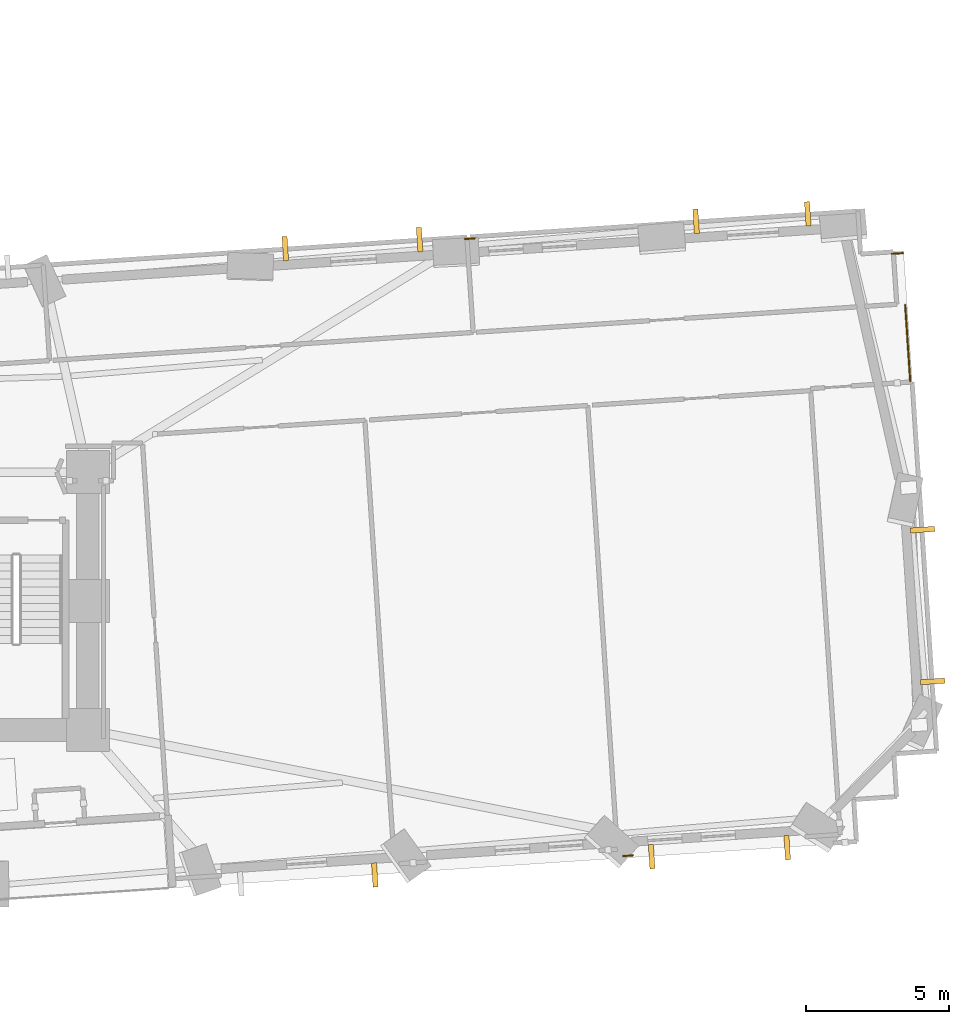
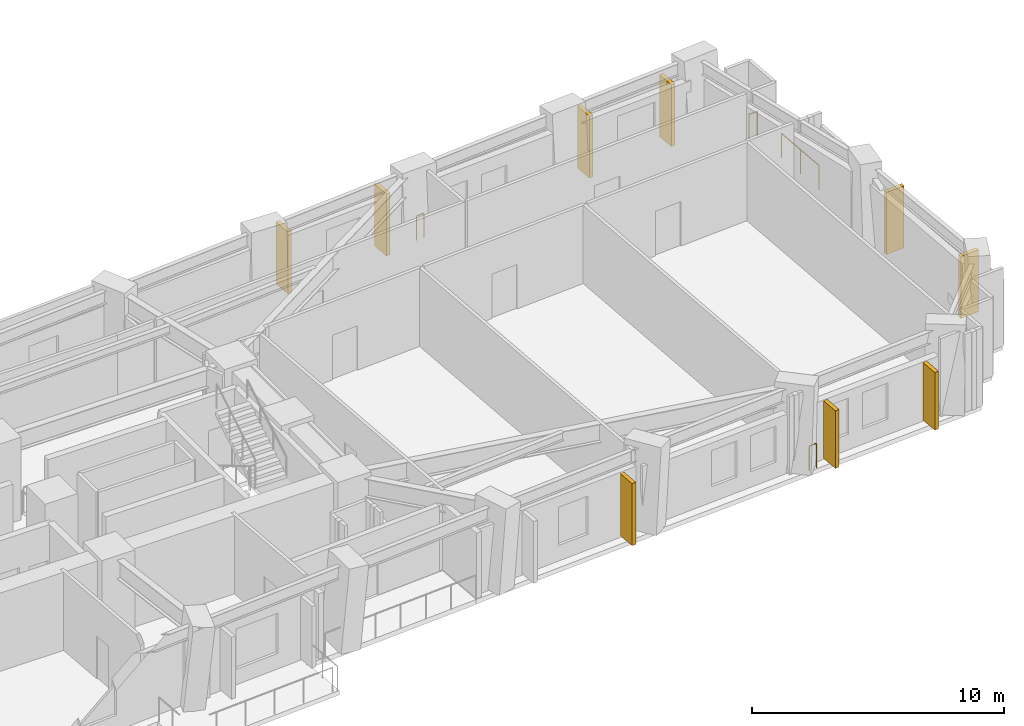
# One storey, part 13 of 14: 9 shading devices, 4 railings.
"""IFC4 building model written with IfcOpenShell, lengths in metres."""

from ifc_helpers import new_model, si_unit, direction, frame, origin, origin_2d, place, context, subcontext, project, spatial, rectangle, circle, extrude, material, layer, layer_set, type_object, element, save


model = new_model("IFC4")

# Units and contexts
model_context = context("Model", 3, precision=1e-05, world=origin(), true_north=direction((0.0, 1.0)))
body_context = subcontext(model_context, "Body", "Model", "MODEL_VIEW")
ifc_project = project(units=[si_unit("LENGTHUNIT", "METRE"), si_unit("AREAUNIT", "SQUARE_METRE"), si_unit("VOLUMEUNIT", "CUBIC_METRE"), si_unit("PLANEANGLEUNIT", "RADIAN"), si_unit("MASSUNIT", "GRAM", prefix="KILO")], contexts=[model_context])

# Site, building, storey
site_placement = place(None, origin())
site = spatial("IfcSite", under=ifc_project, at=site_placement, CompositionType="ELEMENT")
building_placement = place(site_placement, origin())
building = spatial("IfcBuilding", under=site, at=building_placement, Name="Gaonmaruhae Medical Tower", CompositionType="ELEMENT")
storey_placement = place(building_placement, frame((0.0, 0.0, 39.0)))
storey = spatial("IfcBuildingStorey", under=building, at=storey_placement, Name="L08", CompositionType="ELEMENT", Elevation=39.0)

# Railings
ifc_material_1 = material(Name="Stainless steel 316L and laminated safety glass", Category="steel")
ifc_layer = layer(ifc_material_1, 0.080078125)
ifc_layer_set = layer_set([ifc_layer], Name="Stainless steel 316L and laminated safety glass")
railing_type = type_object("IfcRailingType", Name="GD-120 Outdoor Terrace Safety Glass & Steel Balustrade", PredefinedType="BALUSTRADE", material=ifc_layer_set)
railing_1_placement = place(storey_placement, frame((48.772216796875, 24.935791015625, 0.0)))
element("IfcRailing", 1, at=railing_1_placement, inside=storey, type_object=railing_type, Name="L08 Perimeter Slab Edge Safety Balustrade 03", PredefinedType="BALUSTRADE", context=body_context, shape_type="SweptSolid", body=[
    extrude(circle(Radius=0.02392578125, at=origin_2d()), frame((0.0, 0.0, 1.17578125), z_axis=(0.997766046034, 0.066805070037, 0.0), x_axis=(-0.066805070037, 0.997766046034, 0.0)), (0.0, 0.0, 1.0), 0.33984375),
    extrude(circle(Radius=0.02099609375, at=origin_2d()), origin(), (0.0, 0.0, 1.0), 1.15185546875),
    extrude(circle(Radius=0.02099609375, at=origin_2d()), frame((0.339111328125, 0.022705078125, 0.0)), (0.0, 0.0, 1.0), 1.15185546875),
])
railing_2_placement = place(storey_placement, frame((63.677734375, 24.422607421875, 0.0)))
element("IfcRailing", 2, at=railing_2_placement, inside=storey, type_object=railing_type, Name="L08 Perimeter Slab Edge Safety Balustrade 04", PredefinedType="BALUSTRADE", context=body_context, shape_type="SweptSolid", body=[
    extrude(circle(Radius=0.02392578125, at=origin_2d()), frame((0.0, 0.0, 1.17578125), z_axis=(0.997834306277, 0.065777634618, 0.0), x_axis=(-0.065777634618, 0.997834306277, 0.0)), (0.0, 0.0, 1.0), 0.393310546875),
    extrude(circle(Radius=0.02099609375, at=origin_2d()), origin(), (0.0, 0.0, 1.0), 1.15185546875),
    extrude(circle(Radius=0.02099609375, at=origin_2d()), frame((0.392578125, 0.02587890625, 0.0)), (0.0, 0.0, 1.0), 1.15185546875),
])
railing_3_placement = place(storey_placement, frame((64.140625, 22.635009765625, 0.0)))
element("IfcRailing", 3, at=railing_3_placement, inside=storey, type_object=railing_type, Name="L08 Perimeter Slab Edge Safety Balustrade 05", PredefinedType="BALUSTRADE", context=body_context, shape_type="SweptSolid", body=[
    extrude(circle(Radius=0.02392578125, at=origin_2d()), frame((0.0, 0.0, 1.17578125), z_axis=(0.066269237761, -0.997801777973, 0.0), x_axis=(0.997801777973, 0.066269237761, 0.0)), (0.0, 0.0, 1.0), 2.659912109375),
    extrude(circle(Radius=0.02099609375, at=origin_2d()), origin(), (0.0, 0.0, 1.0), 1.15185546875),
    extrude(circle(Radius=0.02099609375, at=origin_2d()), frame((0.088134765625, -1.3271484375, 0.0)), (0.0, 0.0, 1.0), 1.15185546875),
    extrude(circle(Radius=0.02099609375, at=origin_2d()), frame((0.17626953125, -2.654052734375, 0.0)), (0.0, 0.0, 1.0), 1.15185546875),
])
railing_4_placement = place(storey_placement, frame((54.630859375, 3.416748046875, 0.0)))
element("IfcRailing", 4, at=railing_4_placement, inside=storey, type_object=railing_type, Name="L08 Perimeter Slab Edge Safety Balustrade 06", PredefinedType="BALUSTRADE", context=body_context, shape_type="SweptSolid", body=[
    extrude(circle(Radius=0.02392578125, at=origin_2d()), frame((0.0, 0.0, 1.17578125), z_axis=(-0.997810532054, -0.066137297514, 0.0), x_axis=(0.066137297514, -0.997810532054, 0.0)), (0.0, 0.0, 1.0), 0.339599609375),
    extrude(circle(Radius=0.02099609375, at=origin_2d()), origin(), (0.0, 0.0, 1.0), 1.15185546875),
    extrude(circle(Radius=0.02099609375, at=origin_2d()), frame((-0.3388671875, -0.0224609375, 0.0)), (0.0, 0.0, 1.0), 1.15185546875),
])

# Shading devices
ifc_material_2 = material(Name="Pigmented coral precast concrete C45/55", Category="concrete")
shading_device_type = type_object("IfcShadingDeviceType", Name="SD-FIN1 Tower Vertical Coral Precast Shading Fin", PredefinedType="USERDEFINED", material=ifc_material_2)
shading_device_placement = place(storey_placement, frame((45.62255859375, 2.7333984375, 0.072509765625), z_axis=(0.0, 0.0, 1.0), x_axis=(-0.997801468292, -0.0662739004, 0.0)))
element("IfcShadingDevice", 5, at=shading_device_placement, inside=storey, type_object=shading_device_type, Name="L08 Vertical Coral Precast Shading Fin S05", ObjectType="FIN", PredefinedType="USERDEFINED", context=body_context, shape_type="SweptSolid", body=[
    extrude(rectangle(XDim=0.179931640625, YDim=0.85009765625, at=origin_2d()), origin(), (0.0, 0.0, 1.0), 3.0),
])
for number, where, z_axis, x_axis, name in (
    (6, (60.02197265625, 3.689697265625, 0.0400390625), (0.0, 0.0, 1.0), (-0.997801468292, -0.0662739004, 0.0), "L08 Vertical Coral Precast Shading Fin S07"),
    (7, (55.287841796875, 3.375244140625, 0.0400390625), (0.0, 0.0, 1.0), (-0.997801468292, -0.0662739004, 0.0), "L08 Vertical Coral Precast Shading Fin S07B"),
):
    element("IfcShadingDevice", number, at=place(storey_placement, frame(where, z_axis=z_axis, x_axis=x_axis)), inside=storey, type_object=shading_device_type, Name=name, ObjectType="FIN", PredefinedType="USERDEFINED", context=body_context, shape_type="SweptSolid", body=[
        extrude(rectangle(XDim=0.179931640625, YDim=0.85009765625, at=origin_2d()), origin(), (0.0, 0.0, 1.0), 2.784912109375),
    ])
for number, where, z_axis, x_axis, name in (
    (8, (64.746826171875, 14.789306640625, 0.08251953125), (0.0, 0.0, 1.0), (0.0662739004, -0.997801468292, 0.0), "L08 Vertical Coral Precast Shading Fin E01"),
    (9, (65.098876953125, 9.490478515625, 0.08251953125), (0.0, 0.0, 1.0), (0.0662739004, -0.997801468292, 0.0), "L08 Vertical Coral Precast Shading Fin E01B"),
    (10, (56.84033203125, 25.556884765625, 0.08251953125), (0.0, 0.0, 1.0), (0.997801468292, 0.0662739004, 0.0), "L08 Vertical Coral Precast Shading Fin E03"),
    (11, (60.740966796875, 25.81591796875, 0.08251953125), (0.0, 0.0, 1.0), (0.997801468292, 0.0662739004, 0.0), "L08 Vertical Coral Precast Shading Fin E03B"),
    (12, (42.497802734375, 24.604248046875, 0.08251953125), (0.0, 0.0, 1.0), (0.997801468292, 0.0662739004, 0.0), "L08 Vertical Coral Precast Shading Fin EN02"),
    (13, (47.18701171875, 24.915771484375, 0.08251953125), (0.0, 0.0, 1.0), (0.997801468292, 0.0662739004, 0.0), "L08 Vertical Coral Precast Shading Fin EN02B"),
):
    element("IfcShadingDevice", number, at=place(storey_placement, frame(where, z_axis=z_axis, x_axis=x_axis)), inside=storey, type_object=shading_device_type, Name=name, ObjectType="FIN", PredefinedType="USERDEFINED", context=body_context, shape_type="SweptSolid", body=[
        extrude(rectangle(XDim=0.179931640625, YDim=0.85009765625, at=origin_2d()), origin(), (0.0, 0.0, 1.0), 3.0),
    ])

save(model, "model.ifc")
